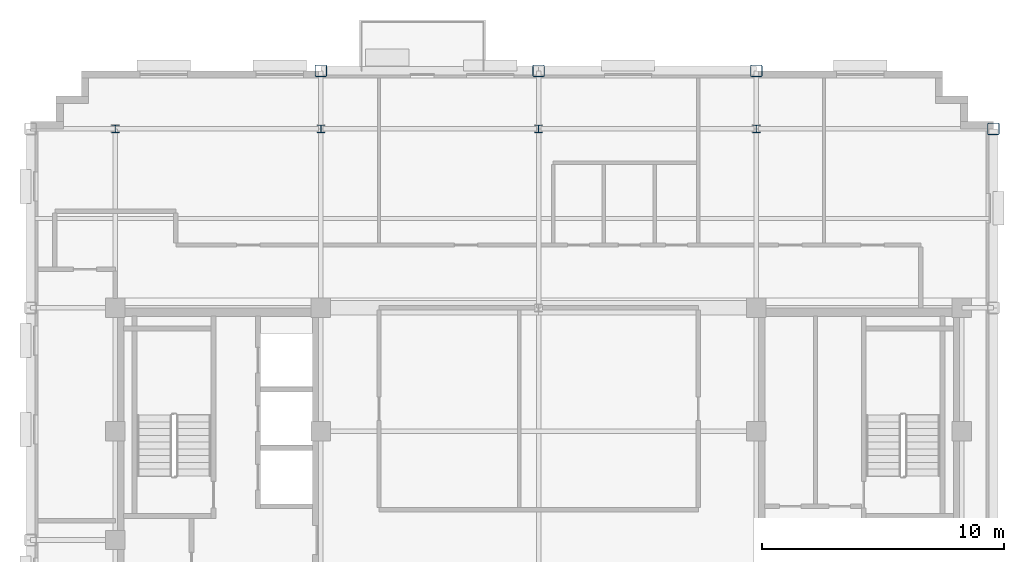
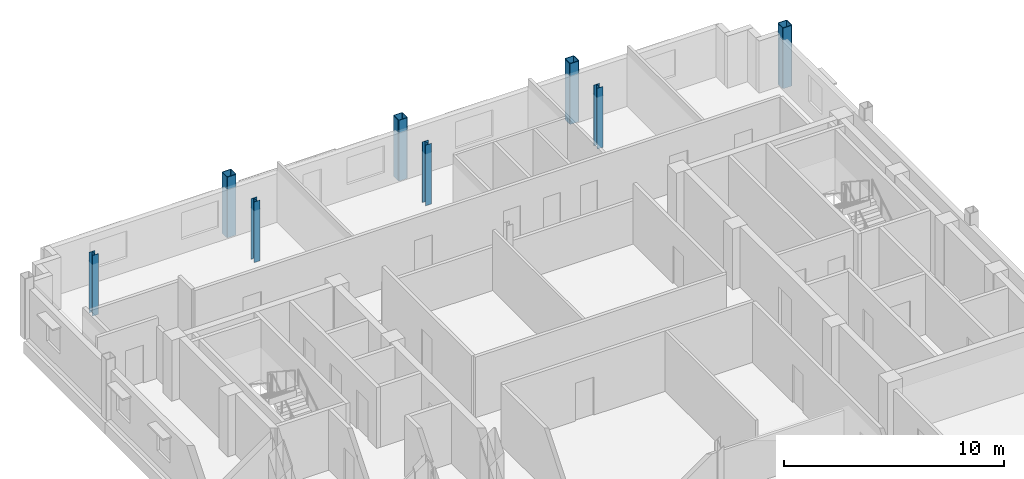
# One storey, part 3 of 13: 8 columns.
"""IFC4 building model written with IfcOpenShell, lengths in metres."""

from ifc_helpers import new_model, si_unit, direction, frame, origin, origin_2d, place, context, subcontext, project, spatial, hollow_rectangle, i_section, extrude, material, material_profile, profile_set, type_object, element, save


model = new_model("IFC4")

# Units and contexts
model_context = context("Model", 3, precision=1e-05, world=origin(), true_north=direction((0.0, 1.0)))
body_context = subcontext(model_context, "Body", "Model", "MODEL_VIEW")
ifc_project = project(units=[si_unit("LENGTHUNIT", "METRE"), si_unit("AREAUNIT", "SQUARE_METRE"), si_unit("VOLUMEUNIT", "CUBIC_METRE"), si_unit("PLANEANGLEUNIT", "RADIAN"), si_unit("MASSUNIT", "GRAM", prefix="KILO")], contexts=[model_context])

# Site, building, storey
site_placement = place(None, origin())
site = spatial("IfcSite", under=ifc_project, at=site_placement, CompositionType="ELEMENT")
building_placement = place(site_placement, origin())
building = spatial("IfcBuilding", under=site, at=building_placement, Name="Nuvemarco Arch Tower", CompositionType="ELEMENT")
storey_placement = place(building_placement, frame((0.0, 0.0, 279.85009765625)))
storey = spatial("IfcBuildingStorey", under=building, at=storey_placement, Name="L74", CompositionType="ELEMENT", Elevation=279.85009765625)

# Columns
ifc_material = material(Name="Steel S355", Category="steel")
ifc_material_profile_1 = material_profile(ifc_material, hollow_rectangle(XDim=0.5, YDim=0.5, WallThickness=0.031982421875, InnerFilletRadius=0.031982421875, OuterFilletRadius=0.06396484375, at=origin_2d()), Name="SHS500x500x32")
ifc_profile_set_1 = profile_set([ifc_material_profile_1], Name="Steel S355")
column_type_1 = type_object("IfcColumnType", Name="COL-EXO-500", PredefinedType="COLUMN", material=ifc_profile_set_1)
for number, where, z_axis, x_axis, name in (
    (1, (18.800048828125, 17.0, 0.0), (0.0, 0.0, 1.0), (1.0, 0.0, 0.0), "L74 column CX_+18.8_+17.0"),
    (2, (-9.0, 19.39990234375, 0.0), (0.0, 0.0, 1.0), (1.0, 0.0, 0.0), "L74 column CY_-9.0_+19.4"),
    (3, (0.0, 19.39990234375, 0.0), (0.0, 0.0, 1.0), (1.0, 0.0, 0.0), "L74 column CY_+0.0_+19.4"),
    (4, (9.0, 19.39990234375, 0.0), (0.0, 0.0, 1.0), (1.0, 0.0, 0.0), "L74 column CY_+9.0_+19.4"),
):
    element("IfcColumn", number, at=place(storey_placement, frame(where, z_axis=z_axis, x_axis=x_axis)), inside=storey, type_object=column_type_1, Name=name, PredefinedType="COLUMN", context=body_context, shape_type="SweptSolid", body=[
        extrude(hollow_rectangle(XDim=0.5, YDim=0.5, WallThickness=0.031982421875, InnerFilletRadius=0.031982421875, OuterFilletRadius=0.06396484375, at=origin_2d()), origin(), (0.0, 0.0, 1.0), 3.369873046875),
    ])
ifc_material_profile_2 = material_profile(ifc_material, i_section(OverallWidth=0.31005859375, OverallDepth=0.31005859375, WebThickness=0.015380859375, FlangeThickness=0.015380859375, FilletRadius=0.014892578125, at=origin_2d()), Name="HP310x110")
ifc_profile_set_2 = profile_set([ifc_material_profile_2], Name="Steel S355")
column_type_2 = type_object("IfcColumnType", Name="COL-STL-HP310", PredefinedType="COLUMN", material=ifc_profile_set_2)
for number, where, z_axis, x_axis, name in (
    (5, (0.0, 17.0, 0.0), (0.0, 0.0, 1.0), (1.0, 0.0, 0.0), "L74 column CI_+0.0_+17.0"),
    (6, (-17.5, 17.0, 0.0), (0.0, 0.0, 1.0), (1.0, 0.0, 0.0), "L74 column CI_-17.5_+17.0"),
    (7, (-9.0, 17.0, 0.0), (0.0, 0.0, 1.0), (1.0, 0.0, 0.0), "L74 column CI_-9.0_+17.0"),
    (8, (9.0, 17.0, 0.0), (0.0, 0.0, 1.0), (1.0, 0.0, 0.0), "L74 column CI_+9.0_+17.0"),
):
    element("IfcColumn", number, at=place(storey_placement, frame(where, z_axis=z_axis, x_axis=x_axis)), inside=storey, type_object=column_type_2, Name=name, PredefinedType="COLUMN", context=body_context, shape_type="SweptSolid", body=[
        extrude(i_section(OverallWidth=0.31005859375, OverallDepth=0.31005859375, WebThickness=0.015380859375, FlangeThickness=0.015380859375, FilletRadius=0.014892578125, at=origin_2d()), origin(), (0.0, 0.0, 1.0), 3.369873046875),
    ])

save(model, "model.ifc")
